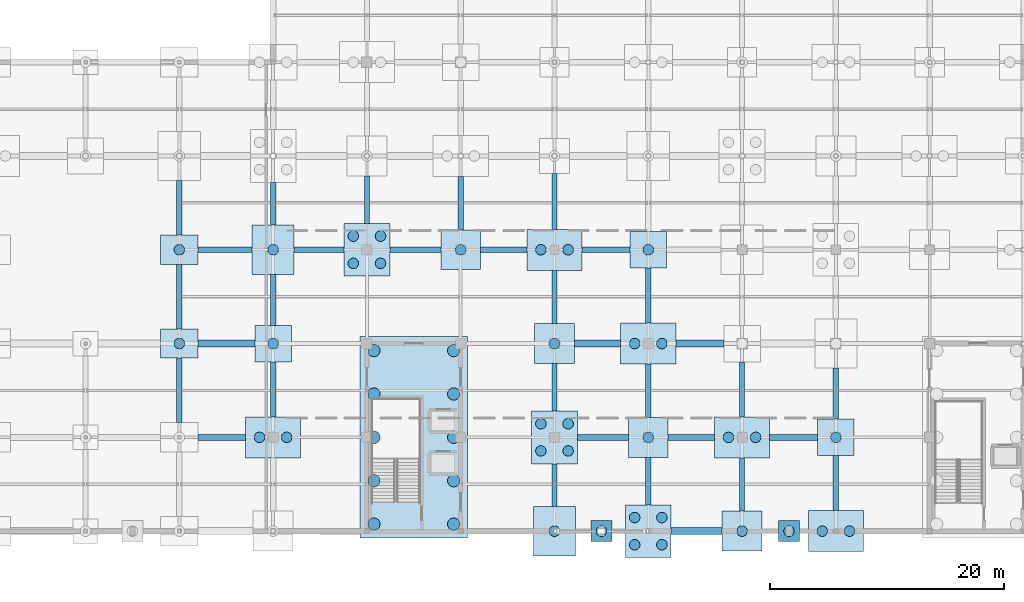
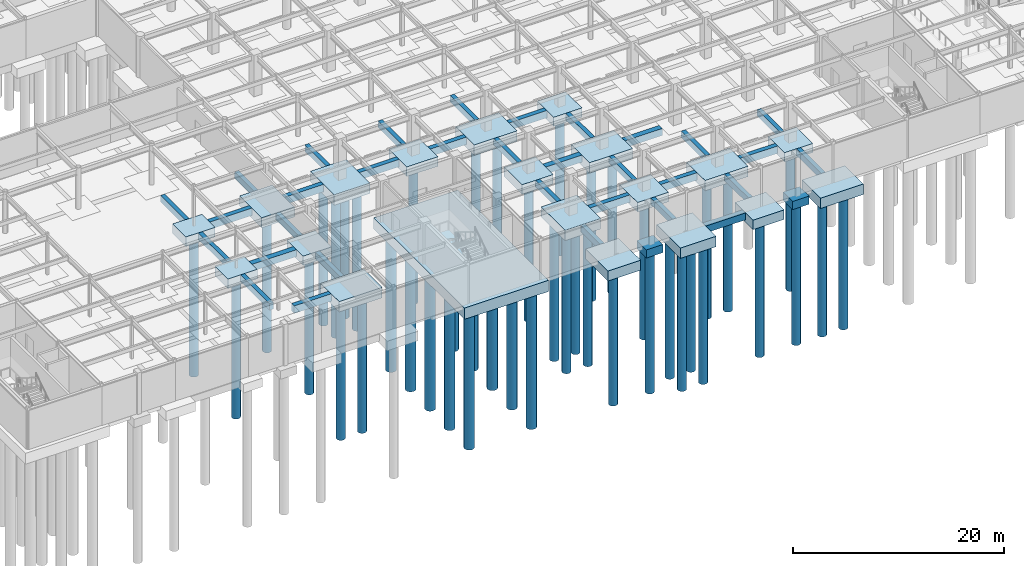
# One storey, part 2 of 105: 54 footings, 45 piles.
"""IFC4 building model written with IfcOpenShell, lengths in metres."""

import ifcopenshell
import ifcopenshell.guid

model = None  # the IFC model being written
_history = None  # IfcOwnerHistory: only IFC2X3 demands one
_inside = {}  # id of a spatial element -> (the spatial element, [elements in it])
_under = {}  # id of a project, library or spatial element -> (it, [spatial elements below it])
_declared = {}  # id of a project -> (the project, [libraries it declares])
_typed = {}  # id of a type object -> (the type object, [elements of that type])
_made_of = {}  # id of a material, layer set ... -> (it, [elements and type objects made of it])


def new_model(schema):
    """Start an empty IFC model of exactly this schema.

    Asked for "IFC4X3", IfcOpenShell would pick the latest addendum, in which some entities
    have other attributes; the version numbers below select the first issue.
    IFC2X3 requires an IfcOwnerHistory on every rooted entity: one is made here for all.
    """
    global model, _history
    if schema == "IFC4X3":
        model = ifcopenshell.file(schema_version=(4, 3, 0, 0))
    else:
        model = ifcopenshell.file(schema=schema)
    _inside.clear()
    _under.clear()
    _declared.clear()
    _typed.clear()
    _made_of.clear()
    _history = None
    if model.schema == "IFC2X3":
        org = make("IfcOrganization", Name="unknown")
        user = make(
            "IfcPersonAndOrganization",
            ThePerson=make("IfcPerson", FamilyName="unknown"),
            TheOrganization=org,
        )
        app = make(
            "IfcApplication",
            ApplicationDeveloper=org,
            Version="unknown",
            ApplicationFullName="unknown",
            ApplicationIdentifier="unknown",
        )
        _history = make(
            "IfcOwnerHistory",
            OwningUser=user,
            OwningApplication=app,
            ChangeAction="ADDED",
            CreationDate=0,
        )
    return model


def make(cls, **values):
    """One entity of the class cls with the attributes given. An attribute that is None is left unset."""
    return model.create_entity(
        cls, **{name: value for name, value in values.items() if value is not None}
    )


def rooted(cls, **values):
    """An entity with a GlobalId (a new one), such as an element, a storey or a relation."""
    return make(cls, GlobalId=ifcopenshell.guid.new(), OwnerHistory=_history, **values)


def si_unit(unit_type, name, prefix=None):
    """IfcSIUnit, for example si_unit("LENGTHUNIT", "METRE", prefix="MILLI")."""
    return make("IfcSIUnit", UnitType=unit_type, Prefix=prefix, Name=name)


def assignment(units):
    """IfcUnitAssignment: the units of a project."""
    return None if units is None else make("IfcUnitAssignment", Units=units)


def point(xyz):
    """IfcCartesianPoint."""
    return None if xyz is None else make("IfcCartesianPoint", Coordinates=xyz)


def direction(xyz):
    """IfcDirection."""
    return None if xyz is None else make("IfcDirection", DirectionRatios=xyz)


def frame(location, z_axis=None, x_axis=None):
    """IfcAxis2Placement3D, a coordinate frame: its origin and axes. An axis left out is left unset."""
    return make(
        "IfcAxis2Placement3D",
        Location=point(location),
        Axis=direction(z_axis),
        RefDirection=direction(x_axis),
    )


def frame_2d(location, x_axis=None):
    """IfcAxis2Placement2D, a coordinate frame in the plane: its origin and x axis."""
    return make(
        "IfcAxis2Placement2D", Location=point(location), RefDirection=direction(x_axis)
    )


def origin():
    """The frame at (0, 0, 0) with its axes left unset."""
    return frame((0.0, 0.0, 0.0))


def origin_2d():
    """The frame at (0, 0) in the plane with its x axis left unset."""
    return frame_2d((0.0, 0.0))


def place(relative_to, where):
    """IfcLocalPlacement: puts the frame where relative to a parent placement (None: the world)."""
    return make(
        "IfcLocalPlacement", PlacementRelTo=relative_to, RelativePlacement=where
    )


def context(
    kind, dimensions, precision=None, world=None, true_north=None, identifier=None
):
    """IfcGeometricRepresentationContext, for example the 3D "Model" context."""
    return make(
        "IfcGeometricRepresentationContext",
        ContextIdentifier=identifier,
        ContextType=kind,
        CoordinateSpaceDimension=dimensions,
        Precision=precision,
        WorldCoordinateSystem=world,
        TrueNorth=true_north,
    )


def subcontext(parent, identifier, kind, view, scale=None):
    """IfcGeometricRepresentationSubContext, for example "Body" below "Model"."""
    return make(
        "IfcGeometricRepresentationSubContext",
        ContextIdentifier=identifier,
        ContextType=kind,
        ParentContext=parent,
        TargetScale=scale,
        TargetView=view,
    )


def project(units=None, contexts=None):
    """IfcProject with its units and contexts."""
    return rooted(
        "IfcProject",
        Name="project",
        RepresentationContexts=contexts,
        UnitsInContext=assignment(units),
    )


def spatial(cls, under=None, at=None, **own):
    """A site, building, storey or space (cls), placed at a placement, below another one or the project."""
    s = rooted(cls, ObjectPlacement=at, **own)
    if under is not None:
        _under.setdefault(under.id(), (under, []))[1].append(s)
    return s


def profile(cls, at=None, kind="AREA", **sizes):
    """A parametric profile (cls). Its sizes go by their IFC names, for example OverallWidth=200.0."""
    return make(cls, ProfileType=kind, Position=at, **sizes)


def rectangle(**sizes):
    """IfcRectangleProfileDef."""
    return profile("IfcRectangleProfileDef", **sizes)


def circle(**sizes):
    """IfcCircleProfileDef."""
    return profile("IfcCircleProfileDef", **sizes)


def extrude(swept, where, along, depth):
    """IfcExtrudedAreaSolid: the profile swept, set in the frame where, extruded along a direction by depth."""
    return make(
        "IfcExtrudedAreaSolid",
        SweptArea=swept,
        Position=where,
        ExtrudedDirection=direction(along),
        Depth=depth,
    )


def shape(context_of_items, identifier, shape_type, items):
    """IfcShapeRepresentation: the items that make up one representation, for example the "Body"."""
    return make(
        "IfcShapeRepresentation",
        ContextOfItems=context_of_items,
        RepresentationIdentifier=identifier,
        RepresentationType=shape_type,
        Items=items,
    )


def material(Name=None, Category=None):
    """IfcMaterial."""
    return make("IfcMaterial", Name=Name, Category=Category)


def material_profile(
    of_material, cross_section, Name=None, Category=None, Priority=None
):
    """IfcMaterialProfile: a cross section and its material."""
    return make(
        "IfcMaterialProfile",
        Name=Name,
        Material=of_material,
        Profile=cross_section,
        Priority=Priority,
        Category=Category,
    )


def profile_set(profiles, Name=None, composite=None):
    """IfcMaterialProfileSet."""
    return make(
        "IfcMaterialProfileSet",
        Name=Name,
        MaterialProfiles=profiles,
        CompositeProfile=composite,
    )


def made_of(thing, what):
    """Note that an element or type object is made of a material, layer set ...; save() writes the relation."""
    if what is not None:
        _made_of.setdefault(what.id(), (what, []))[1].append(thing)
    return thing


def type_object(cls, material=None, **own):
    """A type object (cls), such as IfcWallType, which elements share."""
    return made_of(rooted(cls, **own), material)


def element(
    cls,
    number,
    at=None,
    inside=None,
    cuts=None,
    type_object=None,
    material=None,
    context=None,
    identifier="Body",
    shape_type=None,
    held_by="IfcProductDefinitionShape",
    body=None,
    shapes=None,
    **own,
):
    """One element of the class cls, such as IfcWall. Its Tag is "e" and its number.

    at: its placement. inside: the storey or other place that contains it. cuts: it is an
    opening in that element (IfcRelVoidsElement). A single representation is given by context,
    identifier, shape_type and body (its items); several are given by shapes. held_by: the class
    of the entity that holds the representations. save() writes the other relations.
    """
    e = rooted(cls, Tag="e%d" % number, ObjectPlacement=at, **own)
    if body is not None:
        shapes = [shape(context, identifier, shape_type, body)]
    if shapes is not None:
        e.Representation = make(held_by, Representations=shapes)
    if inside is not None:
        _inside.setdefault(inside.id(), (inside, []))[1].append(e)
    if cuts is not None:
        rooted(
            "IfcRelVoidsElement", RelatingBuildingElement=cuts, RelatedOpeningElement=e
        )
    if type_object is not None:
        _typed.setdefault(type_object.id(), (type_object, []))[1].append(e)
    return made_of(e, material)


def aggregate(whole, parts):
    """IfcRelAggregates: a whole, such as a stair, and the parts it consists of."""
    return rooted("IfcRelAggregates", RelatingObject=whole, RelatedObjects=parts)


def save(model, path):
    """Write the relations noted so far, then the file.

    IfcRelAggregates (storeys below a building ...), IfcRelContainedInSpatialStructure (elements
    in a storey), IfcRelDefinesByType, IfcRelAssociatesMaterial and IfcRelDeclares: one each for
    every whole, place, type object, material and project.
    """
    for whole, parts in _under.values():
        aggregate(whole, parts)
    for where, things in _inside.values():
        rooted(
            "IfcRelContainedInSpatialStructure",
            RelatedElements=things,
            RelatingStructure=where,
        )
    for kind, things in _typed.values():
        rooted("IfcRelDefinesByType", RelatedObjects=things, RelatingType=kind)
    for what, things in _made_of.values():
        rooted("IfcRelAssociatesMaterial", RelatedObjects=things, RelatingMaterial=what)
    for by, libraries in _declared.values():
        rooted("IfcRelDeclares", RelatingContext=by, RelatedDefinitions=libraries)
    model.write(path)


model = new_model("IFC4")

# Units and contexts
model_context = context("Model", 3, precision=1e-05, world=origin(), true_north=direction((0.0, 1.0)))
body_context = subcontext(model_context, "Body", "Model", "MODEL_VIEW")
ifc_project = project(units=[si_unit("LENGTHUNIT", "METRE"), si_unit("AREAUNIT", "SQUARE_METRE"), si_unit("VOLUMEUNIT", "CUBIC_METRE"), si_unit("PLANEANGLEUNIT", "RADIAN"), si_unit("MASSUNIT", "GRAM", prefix="KILO")], contexts=[model_context])

# Site, building, storey
site_placement = place(None, origin())
site = spatial("IfcSite", under=ifc_project, at=site_placement, CompositionType="ELEMENT")
building_placement = place(site_placement, origin())
building = spatial("IfcBuilding", under=site, at=building_placement, Name="Solmirada Galleria", CompositionType="ELEMENT")
storey_placement = place(building_placement, frame((0.0, 0.0, -4.800048828125)))
storey = spatial("IfcBuildingStorey", under=building, at=storey_placement, Name="B1", CompositionType="ELEMENT", Elevation=-4.800048828125)

# Footings
ifc_material_1 = material(Name="Concrete C35/45", Category="concrete")
footing_type_1 = type_object("IfcFootingType", Name="PC-04", PredefinedType="PILE_CAP", material=ifc_material_1)
for number, where, z_axis, x_axis, name in (
    (1, (96.0, 24.0, -1.10009765625), (0.0, 0.0, 1.0), (1.0, 0.0, 0.0), "Pile cap at (96.0, 24.0)"),
    (2, (104.0, 16.0, -1.10009765625), (0.0, 0.0, 1.0), (1.0, 0.0, 0.0), "Pile cap at (104.0, 16.0)"),
    (3, (112.0, 8.0, -1.10009765625), (0.0, 0.0, 1.0), (1.0, 0.0, 0.0), "Pile cap at (112.0, 8.0)"),
    (4, (120.0, 0.0, -1.10009765625), (0.0, 0.0, 1.0), (1.0, 0.0, 0.0), "Pile cap at (120.0, 0.0)"),
):
    element("IfcFooting", number, at=place(storey_placement, frame(where, z_axis=z_axis, x_axis=x_axis)), inside=storey, type_object=footing_type_1, Name=name, PredefinedType="PILE_CAP", context=body_context, shape_type="SweptSolid", body=[
        extrude(rectangle(XDim=3.39990234375, YDim=3.39990234375, at=origin_2d()), origin(), (0.0, 0.0, 1.0), 1.10009765625),
    ])
footing_type_2 = type_object("IfcFootingType", Name="PC-08", PredefinedType="PILE_CAP", material=ifc_material_1)
for number, where, z_axis, x_axis, name in (
    (5, (80.0, 8.0, -1.19970703125), (0.0, 0.0, 1.0), (1.0, 0.0, 0.0), "Pile cap at (80.0, 8.0)"),
    (6, (104.0, 24.0, -1.19970703125), (0.0, 0.0, 1.0), (1.0, 0.0, 0.0), "Pile cap at (104.0, 24.0)"),
    (7, (112.0, 16.0, -1.19970703125), (0.0, 0.0, 1.0), (1.0, 0.0, 0.0), "Pile cap at (112.0, 16.0)"),
    (8, (120.0, 8.0, -1.19970703125), (0.0, 0.0, 1.0), (1.0, 0.0, 0.0), "Pile cap at (120.0, 8.0)"),
    (9, (128.0, 0.0, -1.19970703125), (0.0, 0.0, 1.0), (1.0, 0.0, 0.0), "Pile cap at (128.0, 0.0)"),
):
    element("IfcFooting", number, at=place(storey_placement, frame(where, z_axis=z_axis, x_axis=x_axis)), inside=storey, type_object=footing_type_2, Name=name, PredefinedType="PILE_CAP", context=body_context, shape_type="SweptSolid", body=[
        extrude(rectangle(XDim=4.699951171875, YDim=3.5, at=origin_2d()), origin(), (0.0, 0.0, 1.0), 1.199951171875),
    ])
footing_type_3 = type_object("IfcFootingType", Name="PC-10", PredefinedType="PILE_CAP", material=ifc_material_1)
for number, where, z_axis, x_axis, name in (
    (10, (72.0, 16.0, -1.10009765625), (0.0, 0.0, 1.0), (1.0, 0.0, 0.0), "Pile cap at (72.0, 16.0)"),
    (11, (72.0, 24.0, -1.10009765625), (0.0, 0.0, 1.0), (1.0, 0.0, 0.0), "Pile cap at (72.0, 24.0)"),
):
    element("IfcFooting", number, at=place(storey_placement, frame(where, z_axis=z_axis, x_axis=x_axis)), inside=storey, type_object=footing_type_3, Name=name, PredefinedType="PILE_CAP", context=body_context, shape_type="SweptSolid", body=[
        extrude(rectangle(XDim=3.199951171875, YDim=2.5, at=origin_2d()), origin(), (0.0, 0.0, 1.0), 1.10009765625),
    ])
footing_type_4 = type_object("IfcFootingType", Name="PC-12", PredefinedType="PILE_CAP", material=ifc_material_1)
footing_1_placement = place(storey_placement, frame((92.0, 8.0, -1.2998046875), z_axis=(0.0, 0.0, 1.0), x_axis=(1.0, 0.0, 0.0)))
element("IfcFooting", 12, at=footing_1_placement, inside=storey, type_object=footing_type_4, Name="South Sales Core combined pile cap", PredefinedType="PILE_CAP", context=body_context, shape_type="SweptSolid", body=[
    extrude(rectangle(XDim=9.199951171875, YDim=17.199951171875, at=origin_2d()), origin(), (0.0, 0.0, 1.0), 1.300048828125),
])
footing_type_5 = type_object("IfcFootingType", Name="PC-17", PredefinedType="PILE_CAP", material=ifc_material_1)
for number, where, z_axis, x_axis, name in (
    (13, (108.0, 0.0, -0.94970703125), (0.0, 0.0, 1.0), (1.0, 0.0, 0.0), "Pilaster pile cap (108, 0)"),
    (14, (124.0, 0.0, -0.94970703125), (0.0, 0.0, 1.0), (1.0, 0.0, 0.0), "Pilaster pile cap (124, 0)"),
):
    element("IfcFooting", number, at=place(storey_placement, frame(where, z_axis=z_axis, x_axis=x_axis)), inside=storey, type_object=footing_type_5, Name=name, PredefinedType="PILE_CAP", context=body_context, shape_type="SweptSolid", body=[
        extrude(rectangle(XDim=1.800048828125, YDim=1.800048828125, at=origin_2d()), origin(), (0.0, 0.0, 1.0), 0.949951171875),
    ])
footing_type_6 = type_object("IfcFootingType", Name="PC-20", PredefinedType="PILE_CAP", material=ifc_material_1)
for number, where, z_axis, x_axis, name in (
    (15, (80.0, 16.0, -1.0498046875), (0.0, 0.0, 1.0), (1.0, 0.0, 0.0), "Pile cap at (80.0, 16.0)"),
    (16, (112.0, 24.0, -1.0498046875), (0.0, 0.0, 1.0), (1.0, 0.0, 0.0), "Pile cap at (112.0, 24.0)"),
    (17, (128.0, 8.0, -1.0498046875), (0.0, 0.0, 1.0), (1.0, 0.0, 0.0), "Pile cap at (128.0, 8.0)"),
):
    element("IfcFooting", number, at=place(storey_placement, frame(where, z_axis=z_axis, x_axis=x_axis)), inside=storey, type_object=footing_type_6, Name=name, PredefinedType="PILE_CAP", context=body_context, shape_type="SweptSolid", body=[
        extrude(rectangle(XDim=3.10009765625, YDim=3.10009765625, at=origin_2d()), origin(), (0.0, 0.0, 1.0), 1.050048828125),
    ])
footing_type_7 = type_object("IfcFootingType", Name="PC-25", PredefinedType="PILE_CAP", material=ifc_material_1)
for number, where, z_axis, x_axis, name in (
    (18, (80.0, 24.0, -1.14990234375), (0.0, 0.0, 1.0), (1.0, 0.0, 0.0), "Pile cap at (80.0, 24.0)"),
    (19, (104.0, 0.0, -1.14990234375), (0.0, 0.0, 1.0), (1.0, 0.0, 0.0), "Pile cap at (104.0, 0.0)"),
):
    element("IfcFooting", number, at=place(storey_placement, frame(where, z_axis=z_axis, x_axis=x_axis)), inside=storey, type_object=footing_type_7, Name=name, PredefinedType="PILE_CAP", context=body_context, shape_type="SweptSolid", body=[
        extrude(rectangle(XDim=3.60009765625, YDim=4.199951171875, at=origin_2d()), origin(), (0.0, 0.0, 1.0), 1.14990234375),
    ])
footing_type_8 = type_object("IfcFootingType", Name="PC-26", PredefinedType="PILE_CAP", material=ifc_material_1)
for number, where, z_axis, x_axis, name in (
    (20, (88.0, 24.0, -1.19970703125), (0.0, 0.0, 1.0), (1.0, 0.0, 0.0), "Pile cap at (88.0, 24.0)"),
    (21, (104.0, 8.0, -1.19970703125), (0.0, 0.0, 1.0), (1.0, 0.0, 0.0), "Pile cap at (104.0, 8.0)"),
    (22, (112.0, 0.0, -1.19970703125), (0.0, 0.0, 1.0), (1.0, 0.0, 0.0), "Pile cap at (112.0, 0.0)"),
):
    element("IfcFooting", number, at=place(storey_placement, frame(where, z_axis=z_axis, x_axis=x_axis)), inside=storey, type_object=footing_type_8, Name=name, PredefinedType="PILE_CAP", context=body_context, shape_type="SweptSolid", body=[
        extrude(rectangle(XDim=3.89990234375, YDim=4.5, at=origin_2d()), origin(), (0.0, 0.0, 1.0), 1.199951171875),
    ])

# Piles
ifc_material_2 = material(Name="Concrete C40/50", Category="concrete")
ifc_material_profile_1 = material_profile(ifc_material_2, circle(Radius=0.52490234375, at=origin_2d()), Name="PILE1050")
ifc_profile_set_1 = profile_set([ifc_material_profile_1], Name="Concrete C40/50")
pile_type_1 = type_object("IfcPileType", Name="PILE-1050", PredefinedType="BORED", material=ifc_profile_set_1)
for number, where, z_axis, x_axis, name in (
    (23, (88.60009765625, 0.60009765625, -1.199951171875), (0.0, 0.0, -1.0), (1.0, 0.0, 0.0), "Tampa limestone bored pile C2-01"),
    (24, (88.60009765625, 4.300048828125, -1.199951171875), (0.0, 0.0, -1.0), (1.0, 0.0, 0.0), "Tampa limestone bored pile C2-02"),
    (25, (88.60009765625, 8.0, -1.199951171875), (0.0, 0.0, -1.0), (1.0, 0.0, 0.0), "Tampa limestone bored pile C2-03"),
    (26, (88.60009765625, 11.699951171875, -1.199951171875), (0.0, 0.0, -1.0), (1.0, 0.0, 0.0), "Tampa limestone bored pile C2-04"),
    (27, (88.60009765625, 15.39990234375, -1.199951171875), (0.0, 0.0, -1.0), (1.0, 0.0, 0.0), "Tampa limestone bored pile C2-05"),
    (28, (95.39990234375, 0.60009765625, -1.199951171875), (0.0, 0.0, -1.0), (1.0, 0.0, 0.0), "Tampa limestone bored pile C2-06"),
    (29, (95.39990234375, 4.300048828125, -1.199951171875), (0.0, 0.0, -1.0), (1.0, 0.0, 0.0), "Tampa limestone bored pile C2-07"),
    (30, (95.39990234375, 8.0, -1.199951171875), (0.0, 0.0, -1.0), (1.0, 0.0, 0.0), "Tampa limestone bored pile C2-08"),
    (31, (95.39990234375, 11.699951171875, -1.199951171875), (0.0, 0.0, -1.0), (1.0, 0.0, 0.0), "Tampa limestone bored pile C2-09"),
    (32, (95.39990234375, 15.39990234375, -1.199951171875), (0.0, 0.0, -1.0), (1.0, 0.0, 0.0), "Tampa limestone bored pile C2-10"),
):
    element("IfcPile", number, at=place(storey_placement, frame(where, z_axis=z_axis, x_axis=x_axis)), inside=storey, type_object=pile_type_1, Name=name, PredefinedType="BORED", context=body_context, shape_type="SweptSolid", body=[
        extrude(circle(Radius=0.52490234375, at=origin_2d()), origin(), (0.0, 0.0, 1.0), 16.0),
    ])
ifc_material_profile_2 = material_profile(ifc_material_2, circle(Radius=0.449951171875, at=origin_2d()), Name="PILE900")
ifc_profile_set_2 = profile_set([ifc_material_profile_2], Name="Concrete C40/50")
pile_type_2 = type_object("IfcPileType", Name="PILE-900", PredefinedType="BORED", material=ifc_profile_set_2)
for number, where, z_axis, x_axis, name in (
    (33, (108.0, 0.0, -0.849853515625), (0.0, 0.0, -1.0), (1.0, 0.0, 0.0), "Pilaster bored pile (108, 0)"),
    (34, (124.0, 0.0, -0.849853515625), (0.0, 0.0, -1.0), (1.0, 0.0, 0.0), "Pilaster bored pile (124, 0)"),
):
    element("IfcPile", number, at=place(storey_placement, frame(where, z_axis=z_axis, x_axis=x_axis)), inside=storey, type_object=pile_type_2, Name=name, PredefinedType="BORED", context=body_context, shape_type="SweptSolid", body=[
        extrude(circle(Radius=0.449951171875, at=origin_2d()), origin(), (0.0, 0.0, 1.0), 16.35009765625),
    ])
for number, where, z_axis, x_axis, name in (
    (35, (72.0, 16.0, -1.0), (0.0, 0.0, -1.0), (1.0, 0.0, 0.0), "Bored pile at (72.00, 16.00)"),
    (36, (72.0, 24.0, -1.0), (0.0, 0.0, -1.0), (1.0, 0.0, 0.0), "Bored pile at (72.00, 24.00)"),
):
    element("IfcPile", number, at=place(storey_placement, frame(where, z_axis=z_axis, x_axis=x_axis)), inside=storey, type_object=pile_type_2, Name=name, PredefinedType="BORED", context=body_context, shape_type="SweptSolid", body=[
        extrude(circle(Radius=0.449951171875, at=origin_2d()), origin(), (0.0, 0.0, 1.0), 16.199951171875),
    ])
for number, where, z_axis, x_axis, name in (
    (37, (78.840087890625, 8.0, -1.099853515625), (0.0, 0.0, -1.0), (1.0, 0.0, 0.0), "Bored pile at (78.84, 8.00)"),
    (38, (81.159912109375, 8.0, -1.099853515625), (0.0, 0.0, -1.0), (1.0, 0.0, 0.0), "Bored pile at (81.16, 8.00)"),
):
    element("IfcPile", number, at=place(storey_placement, frame(where, z_axis=z_axis, x_axis=x_axis)), inside=storey, type_object=pile_type_2, Name=name, PredefinedType="BORED", context=body_context, shape_type="SweptSolid", body=[
        extrude(circle(Radius=0.449951171875, at=origin_2d()), origin(), (0.0, 0.0, 1.0), 16.10009765625),
    ])
pile_1_placement = place(storey_placement, frame((80.0, 16.0, -0.949951171875), z_axis=(0.0, 0.0, -1.0), x_axis=(1.0, 0.0, 0.0)))
element("IfcPile", 39, at=pile_1_placement, inside=storey, type_object=pile_type_2, Name="Bored pile at (80.00, 16.00)", PredefinedType="BORED", context=body_context, shape_type="SweptSolid", body=[
    extrude(circle(Radius=0.449951171875, at=origin_2d()), origin(), (0.0, 0.0, 1.0), 16.25),
])
pile_2_placement = place(storey_placement, frame((80.0, 24.0, -1.050048828125), z_axis=(0.0, 0.0, -1.0), x_axis=(1.0, 0.0, 0.0)))
element("IfcPile", 40, at=pile_2_placement, inside=storey, type_object=pile_type_2, Name="Bored pile at (80.00, 24.00)", PredefinedType="BORED", context=body_context, shape_type="SweptSolid", body=[
    extrude(circle(Radius=0.449951171875, at=origin_2d()), origin(), (0.0, 0.0, 1.0), 16.14990234375),
])
for number, where, z_axis, x_axis, name in (
    (41, (86.840087890625, 22.840087890625, -1.099853515625), (0.0, 0.0, -1.0), (1.0, 0.0, 0.0), "Bored pile at (86.84, 22.84)"),
    (42, (89.159912109375, 22.840087890625, -1.099853515625), (0.0, 0.0, -1.0), (1.0, 0.0, 0.0), "Bored pile at (89.16, 22.84)"),
    (43, (86.840087890625, 25.159912109375, -1.099853515625), (0.0, 0.0, -1.0), (1.0, 0.0, 0.0), "Bored pile at (86.84, 25.16)"),
    (44, (89.159912109375, 25.159912109375, -1.099853515625), (0.0, 0.0, -1.0), (1.0, 0.0, 0.0), "Bored pile at (89.16, 25.16)"),
):
    element("IfcPile", number, at=place(storey_placement, frame(where, z_axis=z_axis, x_axis=x_axis)), inside=storey, type_object=pile_type_2, Name=name, PredefinedType="BORED", context=body_context, shape_type="SweptSolid", body=[
        extrude(circle(Radius=0.449951171875, at=origin_2d()), origin(), (0.0, 0.0, 1.0), 16.10009765625),
    ])
pile_3_placement = place(storey_placement, frame((96.0, 24.0, -1.0), z_axis=(0.0, 0.0, -1.0), x_axis=(1.0, 0.0, 0.0)))
element("IfcPile", 45, at=pile_3_placement, inside=storey, type_object=pile_type_2, Name="Bored pile at (96.00, 24.00)", PredefinedType="BORED", context=body_context, shape_type="SweptSolid", body=[
    extrude(circle(Radius=0.449951171875, at=origin_2d()), origin(), (0.0, 0.0, 1.0), 16.199951171875),
])
pile_4_placement = place(storey_placement, frame((104.0, 0.0, -1.050048828125), z_axis=(0.0, 0.0, -1.0), x_axis=(1.0, 0.0, 0.0)))
element("IfcPile", 46, at=pile_4_placement, inside=storey, type_object=pile_type_2, Name="Bored pile at (104.00, 0.00)", PredefinedType="BORED", context=body_context, shape_type="SweptSolid", body=[
    extrude(circle(Radius=0.449951171875, at=origin_2d()), origin(), (0.0, 0.0, 1.0), 16.14990234375),
])
for number, where, z_axis, x_axis, name in (
    (47, (102.840087890625, 6.840087890625, -1.099853515625), (0.0, 0.0, -1.0), (1.0, 0.0, 0.0), "Bored pile at (102.84, 6.84)"),
    (48, (105.159912109375, 6.840087890625, -1.099853515625), (0.0, 0.0, -1.0), (1.0, 0.0, 0.0), "Bored pile at (105.16, 6.84)"),
    (49, (102.840087890625, 9.159912109375, -1.099853515625), (0.0, 0.0, -1.0), (1.0, 0.0, 0.0), "Bored pile at (102.84, 9.16)"),
    (50, (105.159912109375, 9.159912109375, -1.099853515625), (0.0, 0.0, -1.0), (1.0, 0.0, 0.0), "Bored pile at (105.16, 9.16)"),
):
    element("IfcPile", number, at=place(storey_placement, frame(where, z_axis=z_axis, x_axis=x_axis)), inside=storey, type_object=pile_type_2, Name=name, PredefinedType="BORED", context=body_context, shape_type="SweptSolid", body=[
        extrude(circle(Radius=0.449951171875, at=origin_2d()), origin(), (0.0, 0.0, 1.0), 16.10009765625),
    ])
pile_5_placement = place(storey_placement, frame((104.0, 16.0, -1.0), z_axis=(0.0, 0.0, -1.0), x_axis=(1.0, 0.0, 0.0)))
element("IfcPile", 51, at=pile_5_placement, inside=storey, type_object=pile_type_2, Name="Bored pile at (104.00, 16.00)", PredefinedType="BORED", context=body_context, shape_type="SweptSolid", body=[
    extrude(circle(Radius=0.449951171875, at=origin_2d()), origin(), (0.0, 0.0, 1.0), 16.199951171875),
])
for number, where, z_axis, x_axis, name in (
    (52, (102.840087890625, 24.0, -1.099853515625), (0.0, 0.0, -1.0), (1.0, 0.0, 0.0), "Bored pile at (102.84, 24.00)"),
    (53, (105.159912109375, 24.0, -1.099853515625), (0.0, 0.0, -1.0), (1.0, 0.0, 0.0), "Bored pile at (105.16, 24.00)"),
    (54, (110.840087890625, -1.159912109375, -1.099853515625), (0.0, 0.0, -1.0), (1.0, 0.0, 0.0), "Bored pile at (110.84, -1.16)"),
    (55, (113.159912109375, -1.159912109375, -1.099853515625), (0.0, 0.0, -1.0), (1.0, 0.0, 0.0), "Bored pile at (113.16, -1.16)"),
    (56, (110.840087890625, 1.159912109375, -1.099853515625), (0.0, 0.0, -1.0), (1.0, 0.0, 0.0), "Bored pile at (110.84, 1.16)"),
    (57, (113.159912109375, 1.159912109375, -1.099853515625), (0.0, 0.0, -1.0), (1.0, 0.0, 0.0), "Bored pile at (113.16, 1.16)"),
):
    element("IfcPile", number, at=place(storey_placement, frame(where, z_axis=z_axis, x_axis=x_axis)), inside=storey, type_object=pile_type_2, Name=name, PredefinedType="BORED", context=body_context, shape_type="SweptSolid", body=[
        extrude(circle(Radius=0.449951171875, at=origin_2d()), origin(), (0.0, 0.0, 1.0), 16.10009765625),
    ])
pile_6_placement = place(storey_placement, frame((112.0, 8.0, -1.0), z_axis=(0.0, 0.0, -1.0), x_axis=(1.0, 0.0, 0.0)))
element("IfcPile", 58, at=pile_6_placement, inside=storey, type_object=pile_type_2, Name="Bored pile at (112.00, 8.00)", PredefinedType="BORED", context=body_context, shape_type="SweptSolid", body=[
    extrude(circle(Radius=0.449951171875, at=origin_2d()), origin(), (0.0, 0.0, 1.0), 16.199951171875),
])
for number, where, z_axis, x_axis, name in (
    (59, (110.840087890625, 16.0, -1.099853515625), (0.0, 0.0, -1.0), (1.0, 0.0, 0.0), "Bored pile at (110.84, 16.00)"),
    (60, (113.159912109375, 16.0, -1.099853515625), (0.0, 0.0, -1.0), (1.0, 0.0, 0.0), "Bored pile at (113.16, 16.00)"),
):
    element("IfcPile", number, at=place(storey_placement, frame(where, z_axis=z_axis, x_axis=x_axis)), inside=storey, type_object=pile_type_2, Name=name, PredefinedType="BORED", context=body_context, shape_type="SweptSolid", body=[
        extrude(circle(Radius=0.449951171875, at=origin_2d()), origin(), (0.0, 0.0, 1.0), 16.10009765625),
    ])
pile_7_placement = place(storey_placement, frame((112.0, 24.0, -0.949951171875), z_axis=(0.0, 0.0, -1.0), x_axis=(1.0, 0.0, 0.0)))
element("IfcPile", 61, at=pile_7_placement, inside=storey, type_object=pile_type_2, Name="Bored pile at (112.00, 24.00)", PredefinedType="BORED", context=body_context, shape_type="SweptSolid", body=[
    extrude(circle(Radius=0.449951171875, at=origin_2d()), origin(), (0.0, 0.0, 1.0), 16.25),
])
pile_8_placement = place(storey_placement, frame((120.0, 0.0, -1.0), z_axis=(0.0, 0.0, -1.0), x_axis=(1.0, 0.0, 0.0)))
element("IfcPile", 62, at=pile_8_placement, inside=storey, type_object=pile_type_2, Name="Bored pile at (120.00, 0.00)", PredefinedType="BORED", context=body_context, shape_type="SweptSolid", body=[
    extrude(circle(Radius=0.449951171875, at=origin_2d()), origin(), (0.0, 0.0, 1.0), 16.199951171875),
])
for number, where, z_axis, x_axis, name in (
    (63, (118.840087890625, 8.0, -1.099853515625), (0.0, 0.0, -1.0), (1.0, 0.0, 0.0), "Bored pile at (118.84, 8.00)"),
    (64, (121.159912109375, 8.0, -1.099853515625), (0.0, 0.0, -1.0), (1.0, 0.0, 0.0), "Bored pile at (121.16, 8.00)"),
    (65, (126.840087890625, 0.0, -1.099853515625), (0.0, 0.0, -1.0), (1.0, 0.0, 0.0), "Bored pile at (126.84, 0.00)"),
    (66, (129.159912109375, 0.0, -1.099853515625), (0.0, 0.0, -1.0), (1.0, 0.0, 0.0), "Bored pile at (129.16, 0.00)"),
):
    element("IfcPile", number, at=place(storey_placement, frame(where, z_axis=z_axis, x_axis=x_axis)), inside=storey, type_object=pile_type_2, Name=name, PredefinedType="BORED", context=body_context, shape_type="SweptSolid", body=[
        extrude(circle(Radius=0.449951171875, at=origin_2d()), origin(), (0.0, 0.0, 1.0), 16.10009765625),
    ])
pile_9_placement = place(storey_placement, frame((128.0, 8.0, -0.949951171875), z_axis=(0.0, 0.0, -1.0), x_axis=(1.0, 0.0, 0.0)))
element("IfcPile", 67, at=pile_9_placement, inside=storey, type_object=pile_type_2, Name="Bored pile at (128.00, 8.00)", PredefinedType="BORED", context=body_context, shape_type="SweptSolid", body=[
    extrude(circle(Radius=0.449951171875, at=origin_2d()), origin(), (0.0, 0.0, 1.0), 16.25),
])

# Footings
ifc_material_profile_3 = material_profile(ifc_material_1, rectangle(XDim=0.449951171875, YDim=0.75, at=origin_2d()), Name="RC750X450")
ifc_profile_set_3 = profile_set([ifc_material_profile_3], Name="Concrete C35/45")
footing_type_9 = type_object("IfcFootingType", Name="TB-750X450", PredefinedType="FOOTING_BEAM", material=ifc_profile_set_3)
for number, where, z_axis, x_axis, name in (
    (68, (72.0, 9.25, -0.375), (0.0, 1.0, 0.0), (-1.0, 0.0, 0.0), "Foundation tie beam Y (72, 8..16)"),
    (69, (72.0, 17.25, -0.375), (0.0, 1.0, 0.0), (-1.0, 0.0, 0.0), "Foundation tie beam Y (72, 16..24)"),
):
    element("IfcFooting", number, at=place(storey_placement, frame(where, z_axis=z_axis, x_axis=x_axis)), inside=storey, type_object=footing_type_9, Name=name, PredefinedType="FOOTING_BEAM", context=body_context, shape_type="SweptSolid", body=[
        extrude(rectangle(XDim=0.449951171875, YDim=0.75, at=origin_2d()), origin(), (0.0, 0.0, 1.0), 5.5),
    ])
footing_2_placement = place(storey_placement, frame((72.0, 25.25, -0.375), z_axis=(0.0, 1.0, 0.0), x_axis=(-1.0, 0.0, 0.0)))
element("IfcFooting", 70, at=footing_2_placement, inside=storey, type_object=footing_type_9, Name="Foundation tie beam Y (72, 24..32)", PredefinedType="FOOTING_BEAM", context=body_context, shape_type="SweptSolid", body=[
    extrude(rectangle(XDim=0.449951171875, YDim=0.75, at=origin_2d()), origin(), (0.0, 0.0, 1.0), 4.64990234375),
])
footing_3_placement = place(storey_placement, frame((80.0, 9.75, -0.375), z_axis=(0.0, 1.0, 0.0), x_axis=(-1.0, 0.0, 0.0)))
element("IfcFooting", 71, at=footing_3_placement, inside=storey, type_object=footing_type_9, Name="Foundation tie beam Y (80, 8..16)", PredefinedType="FOOTING_BEAM", context=body_context, shape_type="SweptSolid", body=[
    extrude(rectangle(XDim=0.449951171875, YDim=0.75, at=origin_2d()), origin(), (0.0, 0.0, 1.0), 4.699951171875),
])
footing_4_placement = place(storey_placement, frame((80.0, 17.550048828125, -0.375), z_axis=(0.0, 1.0, 0.0), x_axis=(-1.0, 0.0, 0.0)))
element("IfcFooting", 72, at=footing_4_placement, inside=storey, type_object=footing_type_9, Name="Foundation tie beam Y (80, 16..24)", PredefinedType="FOOTING_BEAM", context=body_context, shape_type="SweptSolid", body=[
    extrude(rectangle(XDim=0.449951171875, YDim=0.75, at=origin_2d()), origin(), (0.0, 0.0, 1.0), 4.349853515625),
])
footing_5_placement = place(storey_placement, frame((80.0, 26.10009765625, -0.375), z_axis=(0.0, 1.0, 0.0), x_axis=(-1.0, 0.0, 0.0)))
element("IfcFooting", 73, at=footing_5_placement, inside=storey, type_object=footing_type_9, Name="Foundation tie beam Y (80, 24..32)", PredefinedType="FOOTING_BEAM", context=body_context, shape_type="SweptSolid", body=[
    extrude(rectangle(XDim=0.449951171875, YDim=0.75, at=origin_2d()), origin(), (0.0, 0.0, 1.0), 3.64990234375),
])
footing_6_placement = place(storey_placement, frame((88.0, 26.25, -0.375), z_axis=(0.0, 1.0, 0.0), x_axis=(-1.0, 0.0, 0.0)))
element("IfcFooting", 74, at=footing_6_placement, inside=storey, type_object=footing_type_9, Name="Foundation tie beam Y (88, 24..32)", PredefinedType="FOOTING_BEAM", context=body_context, shape_type="SweptSolid", body=[
    extrude(rectangle(XDim=0.449951171875, YDim=0.75, at=origin_2d()), origin(), (0.0, 0.0, 1.0), 4.050048828125),
])
footing_7_placement = place(storey_placement, frame((96.0, 25.699951171875, -0.375), z_axis=(0.0, 1.0, 0.0), x_axis=(-1.0, 0.0, 0.0)))
element("IfcFooting", 75, at=footing_7_placement, inside=storey, type_object=footing_type_9, Name="Foundation tie beam Y (96, 24..32)", PredefinedType="FOOTING_BEAM", context=body_context, shape_type="SweptSolid", body=[
    extrude(rectangle(XDim=0.449951171875, YDim=0.75, at=origin_2d()), origin(), (0.0, 0.0, 1.0), 4.550048828125),
])
footing_8_placement = place(storey_placement, frame((104.0, 2.10009765625, -0.375), z_axis=(0.0, 1.0, 0.0), x_axis=(-1.0, 0.0, 0.0)))
element("IfcFooting", 76, at=footing_8_placement, inside=storey, type_object=footing_type_9, Name="Foundation tie beam Y (104, 0..8)", PredefinedType="FOOTING_BEAM", context=body_context, shape_type="SweptSolid", body=[
    extrude(rectangle(XDim=0.449951171875, YDim=0.75, at=origin_2d()), origin(), (0.0, 0.0, 1.0), 3.64990234375),
])
footing_9_placement = place(storey_placement, frame((104.0, 10.25, -0.375), z_axis=(0.0, 1.0, 0.0), x_axis=(-1.0, 0.0, 0.0)))
element("IfcFooting", 77, at=footing_9_placement, inside=storey, type_object=footing_type_9, Name="Foundation tie beam Y (104, 8..16)", PredefinedType="FOOTING_BEAM", context=body_context, shape_type="SweptSolid", body=[
    extrude(rectangle(XDim=0.449951171875, YDim=0.75, at=origin_2d()), origin(), (0.0, 0.0, 1.0), 4.050048828125),
])
footing_10_placement = place(storey_placement, frame((104.0, 17.699951171875, -0.375), z_axis=(0.0, 1.0, 0.0), x_axis=(-1.0, 0.0, 0.0)))
element("IfcFooting", 78, at=footing_10_placement, inside=storey, type_object=footing_type_9, Name="Foundation tie beam Y (104, 16..24)", PredefinedType="FOOTING_BEAM", context=body_context, shape_type="SweptSolid", body=[
    extrude(rectangle(XDim=0.449951171875, YDim=0.75, at=origin_2d()), origin(), (0.0, 0.0, 1.0), 4.550048828125),
])
footing_11_placement = place(storey_placement, frame((104.0, 25.75, -0.375), z_axis=(0.0, 1.0, 0.0), x_axis=(-1.0, 0.0, 0.0)))
element("IfcFooting", 79, at=footing_11_placement, inside=storey, type_object=footing_type_9, Name="Foundation tie beam Y (104, 24..32)", PredefinedType="FOOTING_BEAM", context=body_context, shape_type="SweptSolid", body=[
    extrude(rectangle(XDim=0.449951171875, YDim=0.75, at=origin_2d()), origin(), (0.0, 0.0, 1.0), 4.75),
])
footing_12_placement = place(storey_placement, frame((112.0, 2.25, -0.375), z_axis=(0.0, 1.0, 0.0), x_axis=(-1.0, 0.0, 0.0)))
element("IfcFooting", 80, at=footing_12_placement, inside=storey, type_object=footing_type_9, Name="Foundation tie beam Y (112, 0..8)", PredefinedType="FOOTING_BEAM", context=body_context, shape_type="SweptSolid", body=[
    extrude(rectangle(XDim=0.449951171875, YDim=0.75, at=origin_2d()), origin(), (0.0, 0.0, 1.0), 4.050048828125),
])
footing_13_placement = place(storey_placement, frame((112.0, 9.699951171875, -0.375), z_axis=(0.0, 1.0, 0.0), x_axis=(-1.0, 0.0, 0.0)))
element("IfcFooting", 81, at=footing_13_placement, inside=storey, type_object=footing_type_9, Name="Foundation tie beam Y (112, 8..16)", PredefinedType="FOOTING_BEAM", context=body_context, shape_type="SweptSolid", body=[
    extrude(rectangle(XDim=0.449951171875, YDim=0.75, at=origin_2d()), origin(), (0.0, 0.0, 1.0), 4.550048828125),
])
footing_14_placement = place(storey_placement, frame((112.0, 17.75, -0.375), z_axis=(0.0, 1.0, 0.0), x_axis=(-1.0, 0.0, 0.0)))
element("IfcFooting", 82, at=footing_14_placement, inside=storey, type_object=footing_type_9, Name="Foundation tie beam Y (112, 16..24)", PredefinedType="FOOTING_BEAM", context=body_context, shape_type="SweptSolid", body=[
    extrude(rectangle(XDim=0.449951171875, YDim=0.75, at=origin_2d()), origin(), (0.0, 0.0, 1.0), 4.699951171875),
])
footing_15_placement = place(storey_placement, frame((120.0, 1.699951171875, -0.375), z_axis=(0.0, 1.0, 0.0), x_axis=(-1.0, 0.0, 0.0)))
element("IfcFooting", 83, at=footing_15_placement, inside=storey, type_object=footing_type_9, Name="Foundation tie beam Y (120, 0..8)", PredefinedType="FOOTING_BEAM", context=body_context, shape_type="SweptSolid", body=[
    extrude(rectangle(XDim=0.449951171875, YDim=0.75, at=origin_2d()), origin(), (0.0, 0.0, 1.0), 4.550048828125),
])
for number, where, z_axis, x_axis, name in (
    (84, (120.0, 9.75, -0.375), (0.0, 1.0, 0.0), (-1.0, 0.0, 0.0), "Foundation tie beam Y (120, 8..16)"),
    (85, (128.0, 1.75, -0.375), (0.0, 1.0, 0.0), (-1.0, 0.0, 0.0), "Foundation tie beam Y (128, 0..8)"),
):
    element("IfcFooting", number, at=place(storey_placement, frame(where, z_axis=z_axis, x_axis=x_axis)), inside=storey, type_object=footing_type_9, Name=name, PredefinedType="FOOTING_BEAM", context=body_context, shape_type="SweptSolid", body=[
        extrude(rectangle(XDim=0.449951171875, YDim=0.75, at=origin_2d()), origin(), (0.0, 0.0, 1.0), 4.699951171875),
    ])
footing_16_placement = place(storey_placement, frame((128.0, 9.550048828125, -0.375), z_axis=(0.0, 1.0, 0.0), x_axis=(-1.0, 0.0, 0.0)))
element("IfcFooting", 86, at=footing_16_placement, inside=storey, type_object=footing_type_9, Name="Foundation tie beam Y (128, 8..16)", PredefinedType="FOOTING_BEAM", context=body_context, shape_type="SweptSolid", body=[
    extrude(rectangle(XDim=0.449951171875, YDim=0.75, at=origin_2d()), origin(), (0.0, 0.0, 1.0), 4.349853515625),
])
ifc_material_profile_4 = material_profile(ifc_material_1, rectangle(XDim=0.60009765625, YDim=0.800048828125, at=origin_2d()), Name="RC800X600")
ifc_profile_set_4 = profile_set([ifc_material_profile_4], Name="Concrete C35/45")
footing_type_10 = type_object("IfcFootingType", Name="TB-800X600", PredefinedType="FOOTING_BEAM", material=ifc_profile_set_4)
footing_17_placement = place(storey_placement, frame((73.60009765625, 16.0, -0.39990234375), z_axis=(1.0, 0.0, 0.0), x_axis=(0.0, 1.0, 0.0)))
element("IfcFooting", 87, at=footing_17_placement, inside=storey, type_object=footing_type_10, Name="Foundation tie beam X (72..80, 16)", PredefinedType="FOOTING_BEAM", context=body_context, shape_type="SweptSolid", body=[
    extrude(rectangle(XDim=0.60009765625, YDim=0.800048828125, at=origin_2d()), origin(), (0.0, 0.0, 1.0), 4.849853515625),
])
footing_18_placement = place(storey_placement, frame((105.699951171875, 16.0, -0.39990234375), z_axis=(1.0, 0.0, 0.0), x_axis=(0.0, 1.0, 0.0)))
element("IfcFooting", 88, at=footing_18_placement, inside=storey, type_object=footing_type_10, Name="Foundation tie beam X (104..112, 16)", PredefinedType="FOOTING_BEAM", context=body_context, shape_type="SweptSolid", body=[
    extrude(rectangle(XDim=0.60009765625, YDim=0.800048828125, at=origin_2d()), origin(), (0.0, 0.0, 1.0), 3.949951171875),
])
footing_19_placement = place(storey_placement, frame((113.949951171875, 0.0, -0.39990234375), z_axis=(1.0, 0.0, 0.0), x_axis=(0.0, 1.0, 0.0)))
element("IfcFooting", 89, at=footing_19_placement, inside=storey, type_object=footing_type_10, Name="Foundation tie beam X (112..120, 0)", PredefinedType="FOOTING_BEAM", context=body_context, shape_type="SweptSolid", body=[
    extrude(rectangle(XDim=0.60009765625, YDim=0.800048828125, at=origin_2d()), origin(), (0.0, 0.0, 1.0), 4.35009765625),
])
footing_20_placement = place(storey_placement, frame((114.35009765625, 16.0, -0.39990234375), z_axis=(1.0, 0.0, 0.0), x_axis=(0.0, 1.0, 0.0)))
element("IfcFooting", 90, at=footing_20_placement, inside=storey, type_object=footing_type_10, Name="Foundation tie beam X (112..120, 16)", PredefinedType="FOOTING_BEAM", context=body_context, shape_type="SweptSolid", body=[
    extrude(rectangle(XDim=0.60009765625, YDim=0.800048828125, at=origin_2d()), origin(), (0.0, 0.0, 1.0), 4.099853515625),
])
ifc_material_profile_5 = material_profile(ifc_material_1, rectangle(XDim=0.5, YDim=0.85009765625, at=origin_2d()), Name="RC850X500")
ifc_profile_set_5 = profile_set([ifc_material_profile_5], Name="Concrete C35/45")
footing_type_11 = type_object("IfcFootingType", Name="TB-850X500", PredefinedType="FOOTING_BEAM", material=ifc_profile_set_5)
footing_21_placement = place(storey_placement, frame((73.60009765625, 8.0, -0.425048828125), z_axis=(1.0, 0.0, 0.0), x_axis=(0.0, 1.0, 0.0)))
element("IfcFooting", 91, at=footing_21_placement, inside=storey, type_object=footing_type_11, Name="Foundation tie beam X (72..80, 8)", PredefinedType="FOOTING_BEAM", context=body_context, shape_type="SweptSolid", body=[
    extrude(rectangle(XDim=0.5, YDim=0.85009765625, at=origin_2d()), origin(), (0.0, 0.0, 1.0), 4.0498046875),
])
footing_22_placement = place(storey_placement, frame((73.60009765625, 24.0, -0.425048828125), z_axis=(1.0, 0.0, 0.0), x_axis=(0.0, 1.0, 0.0)))
element("IfcFooting", 92, at=footing_22_placement, inside=storey, type_object=footing_type_11, Name="Foundation tie beam X (72..80, 24)", PredefinedType="FOOTING_BEAM", context=body_context, shape_type="SweptSolid", body=[
    extrude(rectangle(XDim=0.5, YDim=0.85009765625, at=origin_2d()), origin(), (0.0, 0.0, 1.0), 4.599853515625),
])
footing_23_placement = place(storey_placement, frame((81.800048828125, 24.0, -0.425048828125), z_axis=(1.0, 0.0, 0.0), x_axis=(0.0, 1.0, 0.0)))
element("IfcFooting", 93, at=footing_23_placement, inside=storey, type_object=footing_type_11, Name="Foundation tie beam X (80..88, 24)", PredefinedType="FOOTING_BEAM", context=body_context, shape_type="SweptSolid", body=[
    extrude(rectangle(XDim=0.5, YDim=0.85009765625, at=origin_2d()), origin(), (0.0, 0.0, 1.0), 4.25),
])
footing_24_placement = place(storey_placement, frame((89.949951171875, 24.0, -0.425048828125), z_axis=(1.0, 0.0, 0.0), x_axis=(0.0, 1.0, 0.0)))
element("IfcFooting", 94, at=footing_24_placement, inside=storey, type_object=footing_type_11, Name="Foundation tie beam X (88..96, 24)", PredefinedType="FOOTING_BEAM", context=body_context, shape_type="SweptSolid", body=[
    extrude(rectangle(XDim=0.5, YDim=0.85009765625, at=origin_2d()), origin(), (0.0, 0.0, 1.0), 4.35009765625),
])
footing_25_placement = place(storey_placement, frame((97.699951171875, 24.0, -0.425048828125), z_axis=(1.0, 0.0, 0.0), x_axis=(0.0, 1.0, 0.0)))
element("IfcFooting", 95, at=footing_25_placement, inside=storey, type_object=footing_type_11, Name="Foundation tie beam X (96..104, 24)", PredefinedType="FOOTING_BEAM", context=body_context, shape_type="SweptSolid", body=[
    extrude(rectangle(XDim=0.5, YDim=0.85009765625, at=origin_2d()), origin(), (0.0, 0.0, 1.0), 3.949951171875),
])
footing_26_placement = place(storey_placement, frame((105.949951171875, 8.0, -0.425048828125), z_axis=(1.0, 0.0, 0.0), x_axis=(0.0, 1.0, 0.0)))
element("IfcFooting", 96, at=footing_26_placement, inside=storey, type_object=footing_type_11, Name="Foundation tie beam X (104..112, 8)", PredefinedType="FOOTING_BEAM", context=body_context, shape_type="SweptSolid", body=[
    extrude(rectangle(XDim=0.5, YDim=0.85009765625, at=origin_2d()), origin(), (0.0, 0.0, 1.0), 4.35009765625),
])
footing_27_placement = place(storey_placement, frame((106.35009765625, 24.0, -0.425048828125), z_axis=(1.0, 0.0, 0.0), x_axis=(0.0, 1.0, 0.0)))
element("IfcFooting", 97, at=footing_27_placement, inside=storey, type_object=footing_type_11, Name="Foundation tie beam X (104..112, 24)", PredefinedType="FOOTING_BEAM", context=body_context, shape_type="SweptSolid", body=[
    extrude(rectangle(XDim=0.5, YDim=0.85009765625, at=origin_2d()), origin(), (0.0, 0.0, 1.0), 4.099853515625),
])
footing_28_placement = place(storey_placement, frame((113.699951171875, 8.0, -0.425048828125), z_axis=(1.0, 0.0, 0.0), x_axis=(0.0, 1.0, 0.0)))
element("IfcFooting", 98, at=footing_28_placement, inside=storey, type_object=footing_type_11, Name="Foundation tie beam X (112..120, 8)", PredefinedType="FOOTING_BEAM", context=body_context, shape_type="SweptSolid", body=[
    extrude(rectangle(XDim=0.5, YDim=0.85009765625, at=origin_2d()), origin(), (0.0, 0.0, 1.0), 3.949951171875),
])
footing_29_placement = place(storey_placement, frame((122.35009765625, 8.0, -0.425048828125), z_axis=(1.0, 0.0, 0.0), x_axis=(0.0, 1.0, 0.0)))
element("IfcFooting", 99, at=footing_29_placement, inside=storey, type_object=footing_type_11, Name="Foundation tie beam X (120..128, 8)", PredefinedType="FOOTING_BEAM", context=body_context, shape_type="SweptSolid", body=[
    extrude(rectangle(XDim=0.5, YDim=0.85009765625, at=origin_2d()), origin(), (0.0, 0.0, 1.0), 4.099853515625),
])

save(model, "model.ifc")
